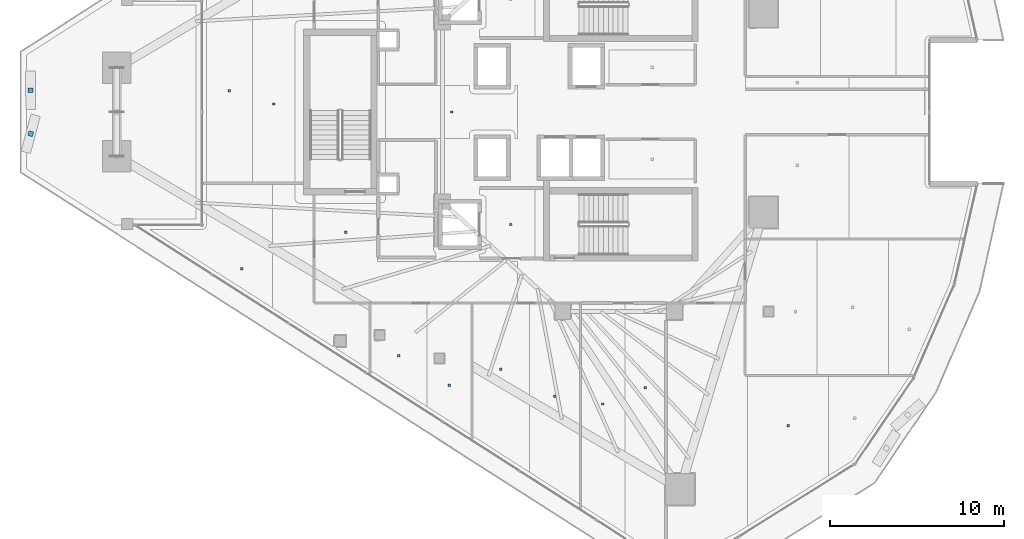
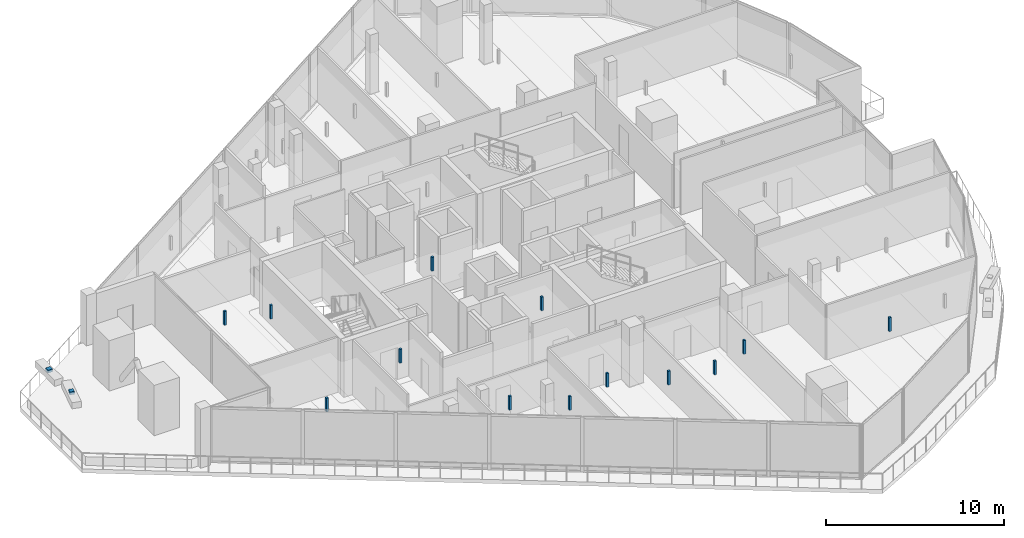
# One storey, part 24 of 32: 15 discrete accessories.
"""IFC4 building model written with IfcOpenShell, lengths in metres."""

from ifc_helpers import new_model, si_unit, direction, frame, origin, origin_2d, place, context, subcontext, project, spatial, rectangle, extrude, material, type_object, element, save


model = new_model("IFC4")

# Units and contexts
model_context = context("Model", 3, precision=1e-05, world=origin(), true_north=direction((0.0, 1.0)))
body_context = subcontext(model_context, "Body", "Model", "MODEL_VIEW")
ifc_project = project(units=[si_unit("LENGTHUNIT", "METRE"), si_unit("AREAUNIT", "SQUARE_METRE"), si_unit("VOLUMEUNIT", "CUBIC_METRE"), si_unit("PLANEANGLEUNIT", "RADIAN"), si_unit("MASSUNIT", "GRAM", prefix="KILO")], contexts=[model_context])

# Site, building, storey
site_placement = place(None, origin())
site = spatial("IfcSite", under=ifc_project, at=site_placement, CompositionType="ELEMENT")
building_placement = place(site_placement, origin())
building = spatial("IfcBuilding", under=site, at=building_placement, Name="Qorvath Tower", CompositionType="ELEMENT")
storey_placement = place(building_placement, frame((0.0, 0.0, 233.39990234375)))
storey = spatial("IfcBuildingStorey", under=building, at=storey_placement, Name="L54", CompositionType="ELEMENT", Elevation=233.39990234375)

# Discrete accessories
ifc_material = material(Name="Galvanised steel bracket", Category="steel")
discrete_accessory_type = type_object("IfcDiscreteAccessoryType", Name="DA-BRACKET", PredefinedType="BRACKET", material=ifc_material)
for number, where, z_axis, x_axis, name in (
    (1, (-54.121826171875, 1.2470703125, 3.64013671875), (0.0, 0.0, 1.0), (0.003382441641, -0.999994279528, 0.0), "Louvre Wave Support Bracket L54-01"),
    (2, (-54.110595703125, -1.2470703125, 3.64013671875), (0.0, 0.0, 1.0), (-0.254524307961, -0.967066376552, 0.0), "Louvre Wave Support Bracket L54-02"),
):
    element("IfcDiscreteAccessory", number, at=place(storey_placement, frame(where, z_axis=z_axis, x_axis=x_axis)), inside=storey, type_object=discrete_accessory_type, Name=name, PredefinedType="NOTDEFINED", context=body_context, shape_type="SweptSolid", body=[
        extrude(rectangle(XDim=0.280029296875, YDim=0.280029296875, at=origin_2d()), origin(), (0.0, 0.0, 1.0), 0.199951171875),
    ])
for number, where, z_axis, x_axis, name in (
    (3, (-26.590087890625, -6.449951171875, 2.85986328125), (0.0, 0.0, 1.0), (1.0, 0.0, 0.0), "Acoustic Ceiling Suspension Hanger T1-L54-002"),
    (4, (-36.04150390625, -6.907470703125, 2.85986328125), (0.0, 0.0, 1.0), (1.0, 0.0, 0.0), "Acoustic Ceiling Suspension Hanger T1-L54-007"),
    (5, (-29.9716796875, 0.0, 2.85986328125), (0.0, 0.0, 1.0), (1.0, 0.0, 0.0), "Acoustic Ceiling Suspension Hanger T1-L54-009"),
    (6, (-33.016845703125, -13.970458984375, 2.85986328125), (0.0, 0.0, 1.0), (1.0, 0.0, 0.0), "Acoustic Ceiling Suspension Hanger T1-L54-019"),
    (7, (-30.102294921875, -15.668212890625, 2.85986328125), (0.0, 0.0, 1.0), (1.0, 0.0, 0.0), "Acoustic Ceiling Suspension Hanger T1-L54-020"),
    (8, (-27.1552734375, -14.756591796875, 2.85986328125), (0.0, 0.0, 1.0), (1.0, 0.0, 0.0), "Acoustic Ceiling Suspension Hanger T1-L54-021"),
    (9, (-24.05224609375, -16.30517578125, 2.85986328125), (0.0, 0.0, 1.0), (1.0, 0.0, 0.0), "Acoustic Ceiling Suspension Hanger T1-L54-022"),
    (10, (-21.307373046875, -16.74560546875, 2.85986328125), (0.0, 0.0, 1.0), (1.0, 0.0, 0.0), "Acoustic Ceiling Suspension Hanger T1-L54-023"),
    (11, (-18.8681640625, -15.81494140625, 2.85986328125), (0.0, 0.0, 1.0), (1.0, 0.0, 0.0), "Acoustic Ceiling Suspension Hanger T1-L54-024"),
    (12, (-10.680419921875, -17.9794921875, 2.85986328125), (0.0, 0.0, 1.0), (1.0, 0.0, 0.0), "Acoustic Ceiling Suspension Hanger T1-L54-026"),
    (13, (-42.004638671875, -8.98388671875, 2.85986328125), (0.0, 0.0, 1.0), (1.0, 0.0, 0.0), "Acoustic Ceiling Suspension Hanger T1-L54-037"),
    (14, (-42.72021484375, 1.226318359375, 2.85986328125), (0.0, 0.0, 1.0), (1.0, 0.0, 0.0), "Acoustic Ceiling Suspension Hanger T1-L54-039"),
    (15, (-40.177490234375, 0.458251953125, 2.85986328125), (0.0, 0.0, 1.0), (1.0, 0.0, 0.0), "Acoustic Ceiling Suspension Hanger T1-L54-040"),
):
    element("IfcDiscreteAccessory", number, at=place(storey_placement, frame(where, z_axis=z_axis, x_axis=x_axis)), inside=storey, type_object=discrete_accessory_type, Name=name, PredefinedType="NOTDEFINED", context=body_context, shape_type="SweptSolid", body=[
        extrude(rectangle(XDim=0.139892578125, YDim=0.139892578125, at=origin_2d()), origin(), (0.0, 0.0, 1.0), 0.949951171875),
    ])

save(model, "model.ifc")
